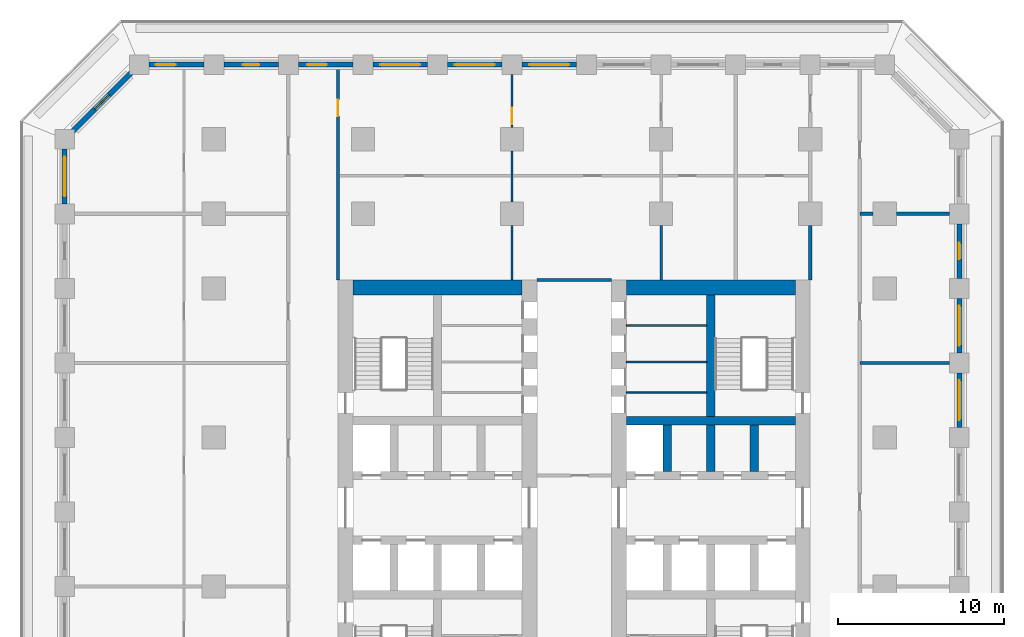
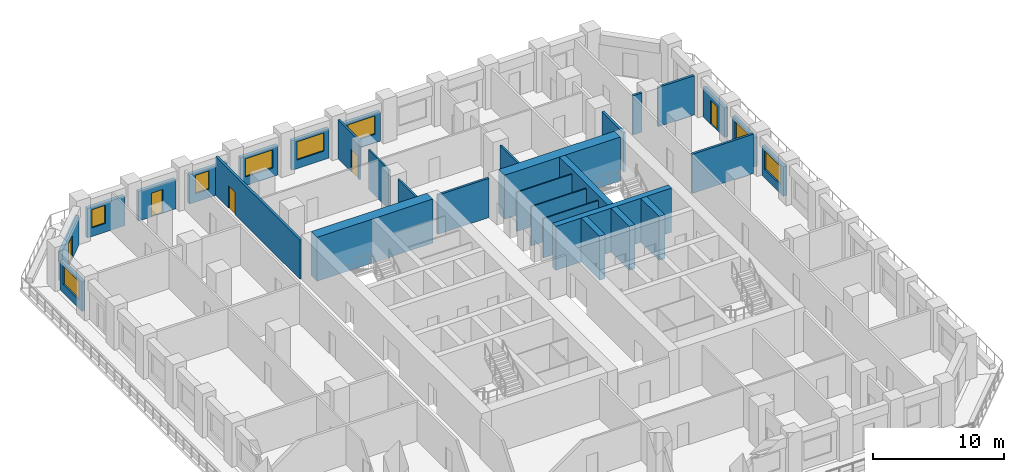
# One storey, part 7 of 16: 31 walls, 8 windows, 5 doors, 13 openings.
"""IFC4 building model written with IfcOpenShell, lengths in metres."""

from ifc_helpers import new_model, si_unit, direction, frame, frame_2d, origin, place, context, subcontext, project, spatial, rectangle, extrude, material, layer, layer_set, type_object, element, fill, save


model = new_model("IFC4")

# Units and contexts
model_context = context("Model", 3, precision=1e-05, world=origin(), true_north=direction((0.0, 1.0)))
body_context = subcontext(model_context, "Body", "Model", "MODEL_VIEW")
ifc_project = project(units=[si_unit("LENGTHUNIT", "METRE"), si_unit("AREAUNIT", "SQUARE_METRE"), si_unit("VOLUMEUNIT", "CUBIC_METRE"), si_unit("PLANEANGLEUNIT", "RADIAN"), si_unit("MASSUNIT", "GRAM", prefix="KILO")], contexts=[model_context])

# Site, building, storey
site_placement = place(None, origin())
site = spatial("IfcSite", under=ifc_project, at=site_placement, CompositionType="ELEMENT")
building_placement = place(site_placement, origin())
building = spatial("IfcBuilding", under=site, at=building_placement, Name="Corbel Stack Research Tower", CompositionType="ELEMENT")
storey_placement = place(building_placement, frame((0.0, 0.0, 120.800048828125)))
storey = spatial("IfcBuildingStorey", under=building, at=storey_placement, Name="L27", CompositionType="ELEMENT", Elevation=120.800048828125)

# Walls
ifc_material_1 = material(Name="Concrete C70/85", Category="concrete")
ifc_layer_1 = layer(ifc_material_1, 0.5)
ifc_layer_set_1 = layer_set([ifc_layer_1], Name="Concrete C70/85")
wall_type_1 = type_object("IfcWallType", Name="CW-500-70", PredefinedType="SHEAR", material=ifc_layer_set_1)
wall_1_placement = place(storey_placement, frame((6.89990234375, 10.0, 0.0), z_axis=(0.0, 0.0, 1.0), x_axis=(1.0, 0.0, 0.0)))
element("IfcWall", 1, at=wall_1_placement, inside=storey, type_object=wall_type_1, Name="East core wall, north row back L27", PredefinedType="SHEAR", context=body_context, shape_type="SweptSolid", body=[
    extrude(rectangle(XDim=10.2001953125, YDim=0.5, at=frame_2d((5.10009765625, 0.0))), origin(), (0.0, 0.0, 1.0), 4.099853515625),
])
for number, where, z_axis, x_axis, name in (
    (2, (9.375, 6.949951171875, 0.0), (0.0, 0.0, 1.0), (0.0, 1.0, 0.0), "East core wall, north shaft 1 L27"),
    (3, (12.0, 6.949951171875, 0.0), (0.0, 0.0, 1.0), (0.0, 1.0, 0.0), "East core wall, north shaft 2 L27"),
    (4, (14.625, 6.949951171875, 0.0), (0.0, 0.0, 1.0), (0.0, 1.0, 0.0), "East core wall, north shaft 3 L27"),
):
    element("IfcWall", number, at=place(storey_placement, frame(where, z_axis=z_axis, x_axis=x_axis)), inside=storey, type_object=wall_type_1, Name=name, PredefinedType="SHEAR", context=body_context, shape_type="SweptSolid", body=[
        extrude(rectangle(XDim=2.800048828125, YDim=0.5, at=frame_2d((1.39990234375, 0.0))), origin(), (0.0, 0.0, 1.0), 4.099853515625),
    ])
wall_2_placement = place(storey_placement, frame((12.0, 10.25, 0.0), z_axis=(0.0, 0.0, 1.0), x_axis=(0.0, 1.0, 0.0)))
element("IfcWall", 5, at=wall_2_placement, inside=storey, type_object=wall_type_1, Name="East core wall, north stair and riser L27", PredefinedType="SHEAR", context=body_context, shape_type="SweptSolid", body=[
    extrude(rectangle(XDim=7.35009765625, YDim=0.5, at=frame_2d((3.675048828125, 0.0))), origin(), (0.0, 0.0, 1.0), 4.099853515625),
])
ifc_material_2 = material(Name="Concrete C70/85", Category="concrete")
ifc_layer_2 = layer(ifc_material_2, 0.89990234375)
ifc_layer_set_2 = layer_set([ifc_layer_2], Name="Concrete C70/85")
wall_type_2 = type_object("IfcWallType", Name="CW-900-70", PredefinedType="SHEAR", material=ifc_layer_set_2)
for number, where, z_axis, x_axis, name in (
    (6, (-9.60009765625, 18.050048828125, 0.0), (0.0, 0.0, 1.0), (1.0, 0.0, 0.0), "West core wall, north end L27"),
    (7, (6.89990234375, 18.050048828125, 0.0), (0.0, 0.0, 1.0), (1.0, 0.0, 0.0), "East core wall, north end L27"),
):
    element("IfcWall", number, at=place(storey_placement, frame(where, z_axis=z_axis, x_axis=x_axis)), inside=storey, type_object=wall_type_2, Name=name, PredefinedType="SHEAR", context=body_context, shape_type="SweptSolid", body=[
        extrude(rectangle(XDim=10.2001953125, YDim=0.89990234375, at=frame_2d((5.10009765625, 0.0))), origin(), (0.0, 0.0, 1.0), 4.099853515625),
    ])
ifc_material_3 = material(Name="Gypsum board")
ifc_layer_3 = layer(ifc_material_3, 0.10009765625)
ifc_layer_set_3 = layer_set([ifc_layer_3], Name="Gypsum board")
wall_type_3 = type_object("IfcWallType", Name="Core partition 100", PredefinedType="PARTITIONING", material=ifc_layer_set_3)
for number, where, z_axis, x_axis, name in (
    (8, (6.89990234375, 11.719970703125, 0.0), (0.0, 0.0, 1.0), (1.0, 0.0, 0.0), "Core partition E"),
    (9, (6.89990234375, 13.5576171875, 0.0), (0.0, 0.0, 1.0), (1.0, 0.0, 0.0), "Core partition E"),
    (10, (6.89990234375, 15.762451171875, 0.0), (0.0, 0.0, 1.0), (1.0, 0.0, 0.0), "Core partition E"),
):
    element("IfcWall", number, at=place(storey_placement, frame(where, z_axis=z_axis, x_axis=x_axis)), inside=storey, type_object=wall_type_3, Name=name, PredefinedType="PARTITIONING", context=body_context, shape_type="SweptSolid", body=[
        extrude(rectangle(XDim=4.85009765625, YDim=0.10009765625, at=frame_2d((2.425048828125, 0.0))), origin(), (0.0, 0.0, 1.0), 3.64990234375),
    ])

# Wall, opening, door
ifc_material_4 = material(Name="Fire-rated gypsum board partition on steel studs", Category="steel")
ifc_layer_4 = layer(ifc_material_4, 0.14990234375)
ifc_layer_set_4 = layer_set([ifc_layer_4], Name="Fire-rated gypsum board partition on steel studs")
wall_type_4 = type_object("IfcWallType", Name="Fire-rated partition 150 EI 60", PredefinedType="PARTITIONING", material=ifc_layer_set_4)
wall_3_placement = place(storey_placement, frame((0.0, 30.89990234375, 0.0), z_axis=(0.0, 0.0, 1.0), x_axis=(0.0, -1.0, 0.0)))
wall_3 = element("IfcWall", 11, at=wall_3_placement, inside=storey, type_object=wall_type_4, Name="Partition L27-007", PredefinedType="PARTITIONING", context=body_context, shape_type="SweptSolid", body=[
    extrude(rectangle(XDim=3.199951171875, YDim=0.14990234375, at=frame_2d((1.60009765625, 0.0))), origin(), (0.0, 0.0, 1.0), 3.64990234375),
])
opening_1_placement = place(wall_3_placement, frame((2.0, 0.0, 0.0)))
opening_1 = element("IfcOpeningElement", 12, at=opening_1_placement, cuts=wall_3, Name="Opening B4V0-020", PredefinedType="OPENING", context=body_context, shape_type="SweptSolid", body=[
    extrude(rectangle(XDim=1.0, YDim=2.10009765625, at=frame_2d((0.5, 1.050048828125))), frame((0.0, 0.0849609375, 0.0), z_axis=(0.0, -1.0, 0.0), x_axis=(1.0, 0.0, 0.0)), (0.0, 0.0, 1.0), 0.169921875),
])
ifc_material_5 = material(Name="Painted steel fire door", Category="steel")
door_type_1 = type_object("IfcDoorType", Name="Fire door FD30S 1000 x 2100", OperationType="NOTDEFINED", PredefinedType="DOOR", material=ifc_material_5)
door_1_placement = place(opening_1_placement, origin())
door_1 = element("IfcDoor", 13, at=door_1_placement, inside=storey, type_object=door_type_1, Name="Door B4V0-020", OperationType="SINGLE_SWING_RIGHT", OverallHeight=2.10009765625, OverallWidth=1.0, PredefinedType="DOOR", context=body_context, shape_type="SweptSolid", body=[
    extrude(rectangle(XDim=1.0, YDim=2.10009765625, at=frame_2d((0.5, 1.050048828125))), frame((0.0, 0.02490234375, 0.0), z_axis=(0.0, -1.0, 0.0), x_axis=(1.0, 0.0, 0.0)), (0.0, 0.0, 1.0), 0.050048828125),
])
fill(opening_1, door_1)

ifc_material_6 = material(Name="Fire-rated gypsum board partition on steel studs", Category="steel")
ifc_layer_5 = layer(ifc_material_6, 0.199951171875)
ifc_layer_set_5 = layer_set([ifc_layer_5], Name="Fire-rated gypsum board partition on steel studs")
wall_type_5 = type_object("IfcWallType", Name="Fire-rated partition 200 EI 60", PredefinedType="PARTITIONING", material=ifc_layer_set_5)
wall_4_placement = place(storey_placement, frame((-10.5, 31.35009765625, 0.0), z_axis=(0.0, 0.0, 1.0), x_axis=(0.0, -1.0, 0.0)))
wall_4 = element("IfcWall", 14, at=wall_4_placement, inside=storey, type_object=wall_type_5, Name="Partition L27-004", PredefinedType="PARTITIONING", context=body_context, shape_type="SweptSolid", body=[
    extrude(rectangle(XDim=12.85009765625, YDim=0.199951171875, at=frame_2d((6.425048828125, 0.0))), origin(), (0.0, 0.0, 1.0), 3.64990234375),
])
opening_2_placement = place(wall_4_placement, frame((1.949951171875, 0.0, 0.0)))
opening_2 = element("IfcOpeningElement", 15, at=opening_2_placement, cuts=wall_4, Name="Opening B4V0-018", PredefinedType="OPENING", context=body_context, shape_type="SweptSolid", body=[
    extrude(rectangle(XDim=1.0, YDim=2.10009765625, at=frame_2d((0.5, 1.050048828125))), frame((0.0, 0.10986328125, 0.0), z_axis=(0.0, -1.0, 0.0), x_axis=(1.0, 0.0, 0.0)), (0.0, 0.0, 1.0), 0.219970703125),
])
door_2_placement = place(opening_2_placement, origin())
door_2 = element("IfcDoor", 16, at=door_2_placement, inside=storey, type_object=door_type_1, Name="Door B4V0-018", OperationType="SINGLE_SWING_LEFT", OverallHeight=2.10009765625, OverallWidth=1.0, PredefinedType="DOOR", context=body_context, shape_type="SweptSolid", body=[
    extrude(rectangle(XDim=1.0, YDim=2.10009765625, at=frame_2d((0.5, 1.050048828125))), frame((0.0, 0.02490234375, 0.0), z_axis=(0.0, -1.0, 0.0), x_axis=(1.0, 0.0, 0.0)), (0.0, 0.0, 1.0), 0.050048828125),
])
fill(opening_2, door_2)

# Walls
wall_5_placement = place(storey_placement, frame((18.0, 18.5, 0.0), z_axis=(0.0, 0.0, 1.0), x_axis=(0.0, 1.0, 0.0)))
element("IfcWall", 17, at=wall_5_placement, inside=storey, type_object=wall_type_5, Name="Partition L27-019", PredefinedType="PARTITIONING", context=body_context, shape_type="SweptSolid", body=[
    extrude(rectangle(XDim=3.300048828125, YDim=0.199951171875, at=frame_2d((1.64990234375, 0.0))), origin(), (0.0, 0.0, 1.0), 3.64990234375),
])
wall_6_placement = place(storey_placement, frame((21.0, 13.5, 0.0), z_axis=(0.0, 0.0, 1.0), x_axis=(1.0, 0.0, 0.0)))
element("IfcWall", 18, at=wall_6_placement, inside=storey, type_object=wall_type_5, Name="Partition L27-035", PredefinedType="PARTITIONING", context=body_context, shape_type="SweptSolid", body=[
    extrude(rectangle(XDim=5.39990234375, YDim=0.199951171875, at=frame_2d((2.699951171875, 0.0))), origin(), (0.0, 0.0, 1.0), 3.64990234375),
])
wall_7_placement = place(storey_placement, frame((1.5, 18.5, 0.0), z_axis=(0.0, 0.0, 1.0), x_axis=(1.0, 0.0, 0.0)))
element("IfcWall", 19, at=wall_7_placement, inside=storey, type_object=wall_type_5, Name="Partition L27-036", PredefinedType="PARTITIONING", context=body_context, shape_type="SweptSolid", body=[
    extrude(rectangle(XDim=4.5, YDim=0.199951171875, at=frame_2d((2.25, 0.0))), origin(), (0.0, 0.0, 1.0), 3.64990234375),
])
wall_8_placement = place(storey_placement, frame((21.0, 22.5, 0.0), z_axis=(0.0, 0.0, 1.0), x_axis=(1.0, 0.0, 0.0)))
element("IfcWall", 20, at=wall_8_placement, inside=storey, type_object=wall_type_5, Name="Partition L27-039", PredefinedType="PARTITIONING", context=body_context, shape_type="SweptSolid", body=[
    extrude(rectangle(XDim=0.800048828125, YDim=0.199951171875, at=frame_2d((0.39990234375, 0.0))), origin(), (0.0, 0.0, 1.0), 3.64990234375),
])
wall_9_placement = place(storey_placement, frame((23.199951171875, 22.5, 0.0), z_axis=(0.0, 0.0, 1.0), x_axis=(1.0, 0.0, 0.0)))
element("IfcWall", 21, at=wall_9_placement, inside=storey, type_object=wall_type_5, Name="Partition L27-040", PredefinedType="PARTITIONING", context=body_context, shape_type="SweptSolid", body=[
    extrude(rectangle(XDim=3.199951171875, YDim=0.199951171875, at=frame_2d((1.60009765625, 0.0))), origin(), (0.0, 0.0, 1.0), 3.64990234375),
])
ifc_material_7 = material(Name="Gypsum board partition on steel studs", Category="steel")
ifc_layer_6 = layer(ifc_material_7, 0.14990234375)
ifc_layer_set_6 = layer_set([ifc_layer_6], Name="Gypsum board partition on steel studs")
wall_type_6 = type_object("IfcWallType", Name="Partition 150", PredefinedType="PARTITIONING", material=ifc_layer_set_6)
wall_10_placement = place(storey_placement, frame((0.0, 18.5, 0.0), z_axis=(0.0, 0.0, 1.0), x_axis=(0.0, 1.0, 0.0)))
element("IfcWall", 22, at=wall_10_placement, inside=storey, type_object=wall_type_6, Name="Partition L27-005", PredefinedType="PARTITIONING", context=body_context, shape_type="SweptSolid", body=[
    extrude(rectangle(XDim=3.300048828125, YDim=0.14990234375, at=frame_2d((1.64990234375, 0.0))), origin(), (0.0, 0.0, 1.0), 3.64990234375),
])
wall_11_placement = place(storey_placement, frame((0.0, 23.199951171875, 0.0), z_axis=(0.0, 0.0, 1.0), x_axis=(0.0, 1.0, 0.0)))
element("IfcWall", 23, at=wall_11_placement, inside=storey, type_object=wall_type_6, Name="Partition L27-006", PredefinedType="PARTITIONING", context=body_context, shape_type="SweptSolid", body=[
    extrude(rectangle(XDim=3.10009765625, YDim=0.14990234375, at=frame_2d((1.550048828125, 0.0))), origin(), (0.0, 0.0, 1.0), 3.64990234375),
])
wall_12_placement = place(storey_placement, frame((9.0, 18.5, 0.0), z_axis=(0.0, 0.0, 1.0), x_axis=(0.0, 1.0, 0.0)))
element("IfcWall", 24, at=wall_12_placement, inside=storey, type_object=wall_type_6, Name="Partition L27-012", PredefinedType="PARTITIONING", context=body_context, shape_type="SweptSolid", body=[
    extrude(rectangle(XDim=3.300048828125, YDim=0.14990234375, at=frame_2d((1.64990234375, 0.0))), origin(), (0.0, 0.0, 1.0), 3.64990234375),
])

# Wall, opening, window
ifc_material_8 = material(Name="Concrete C45/55", Category="concrete")
ifc_layer_7 = layer(ifc_material_8, 0.300048828125)
ifc_layer_set_7 = layer_set([ifc_layer_7], Name="Concrete C45/55")
wall_type_7 = type_object("IfcWallType", Name="Terracotta-faced concrete wall 300", PredefinedType="SOLIDWALL", material=ifc_layer_set_7)
wall_13_placement = place(storey_placement, frame((27.0, 12.89990234375, 0.0), z_axis=(0.0, 0.0, 1.0), x_axis=(0.0, -1.0, 0.0)))
wall_13 = element("IfcWall", 25, at=wall_13_placement, inside=storey, type_object=wall_type_7, Name="Facade wall L27 E07", PredefinedType="SOLIDWALL", context=body_context, shape_type="SweptSolid", body=[
    extrude(rectangle(XDim=3.2998046875, YDim=0.300048828125, at=frame_2d((1.64990234375, 0.0))), origin(), (0.0, 0.0, 1.0), 2.75),
])
opening_3_placement = place(wall_13_placement, frame((0.449951171875, 0.0, 0.800048828125)))
opening_3 = element("IfcOpeningElement", 26, at=opening_3_placement, cuts=wall_13, Name="Opening W1", PredefinedType="OPENING", context=body_context, shape_type="SweptSolid", body=[
    extrude(rectangle(XDim=2.39990234375, YDim=1.699951171875, at=frame_2d((1.199951171875, 0.85009765625))), frame((0.0, 0.159912109375, 0.0), z_axis=(0.0, -1.0, 0.0), x_axis=(1.0, 0.0, 0.0)), (0.0, 0.0, 1.0), 0.320068359375),
])
ifc_material_9 = material(Name="Aluminium frame, clear double glazing", Category="aluminium")
window_type_1 = type_object("IfcWindowType", Name="Window W1 2400 x 1700", PartitioningType="SINGLE_PANEL", PredefinedType="WINDOW", material=ifc_material_9)
window_1_placement = place(opening_3_placement, origin())
window_1 = element("IfcWindow", 27, at=window_1_placement, inside=storey, type_object=window_type_1, Name="Window W1 L27 E07", OverallHeight=1.699951171875, OverallWidth=2.39990234375, PartitioningType="SINGLE_PANEL", PredefinedType="WINDOW", context=body_context, shape_type="SweptSolid", body=[
    extrude(rectangle(XDim=2.39990234375, YDim=1.699951171875, at=frame_2d((1.199951171875, 0.85009765625))), frame((0.0, 0.030029296875, 0.0), z_axis=(0.0, -1.0, 0.0), x_axis=(1.0, 0.0, 0.0)), (0.0, 0.0, 1.0), 0.06005859375),
])
fill(opening_3, window_1)

wall_14_placement = place(storey_placement, frame((27.0, 17.39990234375, 0.0), z_axis=(0.0, 0.0, 1.0), x_axis=(0.0, -1.0, 0.0)))
wall_14 = element("IfcWall", 28, at=wall_14_placement, inside=storey, type_object=wall_type_7, Name="Facade wall L27 E08", PredefinedType="SOLIDWALL", context=body_context, shape_type="SweptSolid", body=[
    extrude(rectangle(XDim=3.2998046875, YDim=0.300048828125, at=frame_2d((1.64990234375, 0.0))), origin(), (0.0, 0.0, 1.0), 2.75),
])
opening_4_placement = place(wall_14_placement, frame((0.449951171875, 0.0, 0.800048828125)))
opening_4 = element("IfcOpeningElement", 29, at=opening_4_placement, cuts=wall_14, Name="Opening W1", PredefinedType="OPENING", context=body_context, shape_type="SweptSolid", body=[
    extrude(rectangle(XDim=2.39990234375, YDim=1.699951171875, at=frame_2d((1.199951171875, 0.85009765625))), frame((0.0, 0.159912109375, 0.0), z_axis=(0.0, -1.0, 0.0), x_axis=(1.0, 0.0, 0.0)), (0.0, 0.0, 1.0), 0.320068359375),
])
window_2_placement = place(opening_4_placement, origin())
window_2 = element("IfcWindow", 30, at=window_2_placement, inside=storey, type_object=window_type_1, Name="Window W1 L27 E08", OverallHeight=1.699951171875, OverallWidth=2.39990234375, PartitioningType="SINGLE_PANEL", PredefinedType="WINDOW", context=body_context, shape_type="SweptSolid", body=[
    extrude(rectangle(XDim=2.39990234375, YDim=1.699951171875, at=frame_2d((1.199951171875, 0.85009765625))), frame((0.0, 0.030029296875, 0.0), z_axis=(0.0, -1.0, 0.0), x_axis=(1.0, 0.0, 0.0)), (0.0, 0.0, 1.0), 0.06005859375),
])
fill(opening_4, window_2)

# Wall, opening, door
wall_15_placement = place(storey_placement, frame((27.0, 21.89990234375, 0.0), z_axis=(0.0, 0.0, 1.0), x_axis=(0.0, -1.0, 0.0)))
wall_15 = element("IfcWall", 31, at=wall_15_placement, inside=storey, type_object=wall_type_7, Name="Facade wall L27 E09", PredefinedType="SOLIDWALL", context=body_context, shape_type="SweptSolid", body=[
    extrude(rectangle(XDim=3.2998046875, YDim=0.300048828125, at=frame_2d((1.64990234375, 0.0))), origin(), (0.0, 0.0, 1.0), 2.75),
])
opening_5_placement = place(wall_15_placement, frame((1.14990234375, 0.0, 0.0)))
opening_5 = element("IfcOpeningElement", 32, at=opening_5_placement, cuts=wall_15, Name="Opening L27-B05", PredefinedType="OPENING", context=body_context, shape_type="SweptSolid", body=[
    extrude(rectangle(XDim=1.0, YDim=2.199951171875, at=frame_2d((0.5, 1.10009765625))), frame((0.0, 0.159912109375, 0.0), z_axis=(0.0, -1.0, 0.0), x_axis=(1.0, 0.0, 0.0)), (0.0, 0.0, 1.0), 0.320068359375),
])
ifc_material_10 = material(Name="Aluminium frame, clear double glazing", Category="aluminium")
door_type_2 = type_object("IfcDoorType", Name="Balcony door BD1 1000 x 2200", OperationType="NOTDEFINED", PredefinedType="DOOR", material=ifc_material_10)
door_3_placement = place(opening_5_placement, origin())
door_3 = element("IfcDoor", 33, at=door_3_placement, inside=storey, type_object=door_type_2, Name="Balcony door L27-B05", OperationType="SINGLE_SWING_RIGHT", OverallHeight=2.199951171875, OverallWidth=1.0, PredefinedType="DOOR", context=body_context, shape_type="SweptSolid", body=[
    extrude(rectangle(XDim=1.0, YDim=2.199951171875, at=frame_2d((0.5, 1.10009765625))), frame((0.0, 0.02490234375, 0.0), z_axis=(0.0, -1.0, 0.0), x_axis=(1.0, 0.0, 0.0)), (0.0, 0.0, 1.0), 0.050048828125),
])
fill(opening_5, door_3)

# Wall, opening, window
wall_16_placement = place(storey_placement, frame((0.60009765625, 31.5, 0.0), z_axis=(0.0, 0.0, 1.0), x_axis=(1.0, 0.0, 0.0)))
wall_16 = element("IfcWall", 34, at=wall_16_placement, inside=storey, type_object=wall_type_7, Name="Facade wall L27 N05", PredefinedType="SOLIDWALL", context=body_context, shape_type="SweptSolid", body=[
    extrude(rectangle(XDim=3.2998046875, YDim=0.300048828125, at=frame_2d((1.64990234375, 0.0))), origin(), (0.0, 0.0, 1.0), 2.75),
])
opening_6_placement = place(wall_16_placement, frame((0.449951171875, 0.0, 0.800048828125)))
opening_6 = element("IfcOpeningElement", 35, at=opening_6_placement, cuts=wall_16, Name="Opening W1", PredefinedType="OPENING", context=body_context, shape_type="SweptSolid", body=[
    extrude(rectangle(XDim=2.39990234375, YDim=1.699951171875, at=frame_2d((1.199951171875, 0.85009765625))), frame((0.0, 0.159912109375, 0.0), z_axis=(0.0, -1.0, 0.0), x_axis=(1.0, 0.0, 0.0)), (0.0, 0.0, 1.0), 0.320068359375),
])
window_3_placement = place(opening_6_placement, origin())
window_3 = element("IfcWindow", 36, at=window_3_placement, inside=storey, type_object=window_type_1, Name="Window W1 L27 N05", OverallHeight=1.699951171875, OverallWidth=2.39990234375, PartitioningType="SINGLE_PANEL", PredefinedType="WINDOW", context=body_context, shape_type="SweptSolid", body=[
    extrude(rectangle(XDim=2.39990234375, YDim=1.699951171875, at=frame_2d((1.199951171875, 0.85009765625))), frame((0.0, 0.030029296875, 0.0), z_axis=(0.0, -1.0, 0.0), x_axis=(1.0, 0.0, 0.0)), (0.0, 0.0, 1.0), 0.06005859375),
])
fill(opening_6, window_3)

wall_17_placement = place(storey_placement, frame((-3.89990234375, 31.5, 0.0), z_axis=(0.0, 0.0, 1.0), x_axis=(1.0, 0.0, 0.0)))
wall_17 = element("IfcWall", 37, at=wall_17_placement, inside=storey, type_object=wall_type_7, Name="Facade wall L27 N06", PredefinedType="SOLIDWALL", context=body_context, shape_type="SweptSolid", body=[
    extrude(rectangle(XDim=3.2998046875, YDim=0.300048828125, at=frame_2d((1.64990234375, 0.0))), origin(), (0.0, 0.0, 1.0), 2.75),
])
opening_7_placement = place(wall_17_placement, frame((0.449951171875, 0.0, 0.800048828125)))
opening_7 = element("IfcOpeningElement", 38, at=opening_7_placement, cuts=wall_17, Name="Opening W1", PredefinedType="OPENING", context=body_context, shape_type="SweptSolid", body=[
    extrude(rectangle(XDim=2.39990234375, YDim=1.699951171875, at=frame_2d((1.199951171875, 0.85009765625))), frame((0.0, 0.159912109375, 0.0), z_axis=(0.0, -1.0, 0.0), x_axis=(1.0, 0.0, 0.0)), (0.0, 0.0, 1.0), 0.320068359375),
])
window_4_placement = place(opening_7_placement, origin())
window_4 = element("IfcWindow", 39, at=window_4_placement, inside=storey, type_object=window_type_1, Name="Window W1 L27 N06", OverallHeight=1.699951171875, OverallWidth=2.39990234375, PartitioningType="SINGLE_PANEL", PredefinedType="WINDOW", context=body_context, shape_type="SweptSolid", body=[
    extrude(rectangle(XDim=2.39990234375, YDim=1.699951171875, at=frame_2d((1.199951171875, 0.85009765625))), frame((0.0, 0.030029296875, 0.0), z_axis=(0.0, -1.0, 0.0), x_axis=(1.0, 0.0, 0.0)), (0.0, 0.0, 1.0), 0.06005859375),
])
fill(opening_7, window_4)

wall_18_placement = place(storey_placement, frame((-8.39990234375, 31.5, 0.0), z_axis=(0.0, 0.0, 1.0), x_axis=(1.0, 0.0, 0.0)))
wall_18 = element("IfcWall", 40, at=wall_18_placement, inside=storey, type_object=wall_type_7, Name="Facade wall L27 N07", PredefinedType="SOLIDWALL", context=body_context, shape_type="SweptSolid", body=[
    extrude(rectangle(XDim=3.2998046875, YDim=0.300048828125, at=frame_2d((1.64990234375, 0.0))), origin(), (0.0, 0.0, 1.0), 2.75),
])
opening_8_placement = place(wall_18_placement, frame((0.449951171875, 0.0, 0.800048828125)))
opening_8 = element("IfcOpeningElement", 41, at=opening_8_placement, cuts=wall_18, Name="Opening W1", PredefinedType="OPENING", context=body_context, shape_type="SweptSolid", body=[
    extrude(rectangle(XDim=2.39990234375, YDim=1.699951171875, at=frame_2d((1.199951171875, 0.85009765625))), frame((0.0, 0.159912109375, 0.0), z_axis=(0.0, -1.0, 0.0), x_axis=(1.0, 0.0, 0.0)), (0.0, 0.0, 1.0), 0.320068359375),
])
window_5_placement = place(opening_8_placement, origin())
window_5 = element("IfcWindow", 42, at=window_5_placement, inside=storey, type_object=window_type_1, Name="Window W1 L27 N07", OverallHeight=1.699951171875, OverallWidth=2.39990234375, PartitioningType="SINGLE_PANEL", PredefinedType="WINDOW", context=body_context, shape_type="SweptSolid", body=[
    extrude(rectangle(XDim=2.39990234375, YDim=1.699951171875, at=frame_2d((1.199951171875, 0.85009765625))), frame((0.0, 0.030029296875, 0.0), z_axis=(0.0, -1.0, 0.0), x_axis=(1.0, 0.0, 0.0)), (0.0, 0.0, 1.0), 0.06005859375),
])
fill(opening_8, window_5)

wall_19_placement = place(storey_placement, frame((-12.89990234375, 31.5, 0.0), z_axis=(0.0, 0.0, 1.0), x_axis=(1.0, 0.0, 0.0)))
wall_19 = element("IfcWall", 43, at=wall_19_placement, inside=storey, type_object=wall_type_7, Name="Facade wall L27 N08", PredefinedType="SOLIDWALL", context=body_context, shape_type="SweptSolid", body=[
    extrude(rectangle(XDim=3.2998046875, YDim=0.300048828125, at=frame_2d((1.64990234375, 0.0))), origin(), (0.0, 0.0, 1.0), 2.75),
])
opening_9_placement = place(wall_19_placement, frame((0.52490234375, 0.0, 0.800048828125)))
opening_9 = element("IfcOpeningElement", 44, at=opening_9_placement, cuts=wall_19, Name="Opening W2", PredefinedType="OPENING", context=body_context, shape_type="SweptSolid", body=[
    extrude(rectangle(XDim=1.199951171875, YDim=1.699951171875, at=frame_2d((0.60009765625, 0.85009765625))), frame((0.0, 0.159912109375, 0.0), z_axis=(0.0, -1.0, 0.0), x_axis=(1.0, 0.0, 0.0)), (0.0, 0.0, 1.0), 0.320068359375),
])
ifc_material_11 = material(Name="Aluminium frame, clear double glazing", Category="aluminium")
window_type_2 = type_object("IfcWindowType", Name="Window W2 1200 x 1700", PartitioningType="SINGLE_PANEL", PredefinedType="WINDOW", material=ifc_material_11)
window_6_placement = place(opening_9_placement, origin())
window_6 = element("IfcWindow", 45, at=window_6_placement, inside=storey, type_object=window_type_2, Name="Window W2 L27 N08", OverallHeight=1.699951171875, OverallWidth=1.199951171875, PartitioningType="SINGLE_PANEL", PredefinedType="WINDOW", context=body_context, shape_type="SweptSolid", body=[
    extrude(rectangle(XDim=1.199951171875, YDim=1.699951171875, at=frame_2d((0.60009765625, 0.85009765625))), frame((0.0, 0.030029296875, 0.0), z_axis=(0.0, -1.0, 0.0), x_axis=(1.0, 0.0, 0.0)), (0.0, 0.0, 1.0), 0.06005859375),
])
fill(opening_9, window_6)

# Wall, opening, door
wall_20_placement = place(storey_placement, frame((-17.39990234375, 31.5, 0.0), z_axis=(0.0, 0.0, 1.0), x_axis=(1.0, 0.0, 0.0)))
wall_20 = element("IfcWall", 46, at=wall_20_placement, inside=storey, type_object=wall_type_7, Name="Facade wall L27 N09", PredefinedType="SOLIDWALL", context=body_context, shape_type="SweptSolid", body=[
    extrude(rectangle(XDim=3.2998046875, YDim=0.300048828125, at=frame_2d((1.64990234375, 0.0))), origin(), (0.0, 0.0, 1.0), 2.75),
])
opening_10_placement = place(wall_20_placement, frame((1.14990234375, 0.0, 0.0)))
opening_10 = element("IfcOpeningElement", 47, at=opening_10_placement, cuts=wall_20, Name="Opening L27-B08", PredefinedType="OPENING", context=body_context, shape_type="SweptSolid", body=[
    extrude(rectangle(XDim=1.0, YDim=2.199951171875, at=frame_2d((0.5, 1.10009765625))), frame((0.0, 0.159912109375, 0.0), z_axis=(0.0, -1.0, 0.0), x_axis=(1.0, 0.0, 0.0)), (0.0, 0.0, 1.0), 0.320068359375),
])
door_4_placement = place(opening_10_placement, origin())
door_4 = element("IfcDoor", 48, at=door_4_placement, inside=storey, type_object=door_type_2, Name="Balcony door L27-B08", OperationType="SINGLE_SWING_RIGHT", OverallHeight=2.199951171875, OverallWidth=1.0, PredefinedType="DOOR", context=body_context, shape_type="SweptSolid", body=[
    extrude(rectangle(XDim=1.0, YDim=2.199951171875, at=frame_2d((0.5, 1.10009765625))), frame((0.0, 0.02490234375, 0.0), z_axis=(0.0, -1.0, 0.0), x_axis=(1.0, 0.0, 0.0)), (0.0, 0.0, 1.0), 0.050048828125),
])
fill(opening_10, door_4)

# Wall, opening, window
wall_21_placement = place(storey_placement, frame((-21.89990234375, 31.5, 0.0), z_axis=(0.0, 0.0, 1.0), x_axis=(1.0, 0.0, 0.0)))
wall_21 = element("IfcWall", 49, at=wall_21_placement, inside=storey, type_object=wall_type_7, Name="Facade wall L27 N10", PredefinedType="SOLIDWALL", context=body_context, shape_type="SweptSolid", body=[
    extrude(rectangle(XDim=3.2998046875, YDim=0.300048828125, at=frame_2d((1.64990234375, 0.0))), origin(), (0.0, 0.0, 1.0), 2.75),
])
opening_11_placement = place(wall_21_placement, frame((0.387451171875, 0.0, 0.800048828125)))
opening_11 = element("IfcOpeningElement", 50, at=opening_11_placement, cuts=wall_21, Name="Opening W2", PredefinedType="OPENING", context=body_context, shape_type="SweptSolid", body=[
    extrude(rectangle(XDim=1.199951171875, YDim=1.699951171875, at=frame_2d((0.60009765625, 0.85009765625))), frame((0.0, 0.159912109375, 0.0), z_axis=(0.0, -1.0, 0.0), x_axis=(1.0, 0.0, 0.0)), (0.0, 0.0, 1.0), 0.320068359375),
])
window_7_placement = place(opening_11_placement, origin())
window_7 = element("IfcWindow", 51, at=window_7_placement, inside=storey, type_object=window_type_2, Name="Window W2 L27 N10", OverallHeight=1.699951171875, OverallWidth=1.199951171875, PartitioningType="SINGLE_PANEL", PredefinedType="WINDOW", context=body_context, shape_type="SweptSolid", body=[
    extrude(rectangle(XDim=1.199951171875, YDim=1.699951171875, at=frame_2d((0.60009765625, 0.85009765625))), frame((0.0, 0.030029296875, 0.0), z_axis=(0.0, -1.0, 0.0), x_axis=(1.0, 0.0, 0.0)), (0.0, 0.0, 1.0), 0.06005859375),
])
fill(opening_11, window_7)

# Wall, opening, door
wall_22_placement = place(storey_placement, frame((-26.506103515625, 27.493896484375, 0.0), z_axis=(0.0, 0.0, 1.0), x_axis=(0.707106781187, 0.707106781187, 0.0)))
wall_22 = element("IfcWall", 52, at=wall_22_placement, inside=storey, type_object=wall_type_7, Name="Facade wall L27 NW01", PredefinedType="SOLIDWALL", context=body_context, shape_type="SweptSolid", body=[
    extrude(rectangle(XDim=4.967041015625, YDim=0.300048828125, at=frame_2d((2.4833984375, 0.0))), origin(), (0.0, 0.0, 1.0), 2.75),
])
opening_12_placement = place(wall_22_placement, frame((1.883544921875, 0.0, 0.0)))
opening_12 = element("IfcOpeningElement", 53, at=opening_12_placement, cuts=wall_22, Name="Opening L27-B09", PredefinedType="OPENING", context=body_context, shape_type="SweptSolid", body=[
    extrude(rectangle(XDim=1.199951171875, YDim=2.199951171875, at=frame_2d((0.60009765625, 1.10009765625))), frame((0.0, 0.159912109375, 0.0), z_axis=(0.0, -1.0, 0.0), x_axis=(1.0, 0.0, 0.0)), (0.0, 0.0, 1.0), 0.320068359375),
])
ifc_material_12 = material(Name="Aluminium frame, clear double glazing", Category="aluminium")
door_type_3 = type_object("IfcDoorType", Name="Balcony door BD2 1200 x 2200", OperationType="NOTDEFINED", PredefinedType="DOOR", material=ifc_material_12)
door_5_placement = place(opening_12_placement, origin())
door_5 = element("IfcDoor", 54, at=door_5_placement, inside=storey, type_object=door_type_3, Name="Balcony door L27-B09", OperationType="SINGLE_SWING_RIGHT", OverallHeight=2.199951171875, OverallWidth=1.199951171875, PredefinedType="DOOR", context=body_context, shape_type="SweptSolid", body=[
    extrude(rectangle(XDim=1.199951171875, YDim=2.199951171875, at=frame_2d((0.60009765625, 1.10009765625))), frame((0.0, 0.02490234375, 0.0), z_axis=(0.0, -1.0, 0.0), x_axis=(1.0, 0.0, 0.0)), (0.0, 0.0, 1.0), 0.050048828125),
])
fill(opening_12, door_5)

# Wall, opening, window
wall_23_placement = place(storey_placement, frame((-27.0, 23.10009765625, 0.0), z_axis=(0.0, 0.0, 1.0), x_axis=(0.0, 1.0, 0.0)))
wall_23 = element("IfcWall", 55, at=wall_23_placement, inside=storey, type_object=wall_type_7, Name="Facade wall L27 W01", PredefinedType="SOLIDWALL", context=body_context, shape_type="SweptSolid", body=[
    extrude(rectangle(XDim=3.2998046875, YDim=0.300048828125, at=frame_2d((1.64990234375, 0.0))), origin(), (0.0, 0.0, 1.0), 2.75),
])
opening_13_placement = place(wall_23_placement, frame((0.449951171875, 0.0, 0.800048828125)))
opening_13 = element("IfcOpeningElement", 56, at=opening_13_placement, cuts=wall_23, Name="Opening W1", PredefinedType="OPENING", context=body_context, shape_type="SweptSolid", body=[
    extrude(rectangle(XDim=2.39990234375, YDim=1.699951171875, at=frame_2d((1.199951171875, 0.85009765625))), frame((0.0, 0.159912109375, 0.0), z_axis=(0.0, -1.0, 0.0), x_axis=(1.0, 0.0, 0.0)), (0.0, 0.0, 1.0), 0.320068359375),
])
window_8_placement = place(opening_13_placement, origin())
window_8 = element("IfcWindow", 57, at=window_8_placement, inside=storey, type_object=window_type_1, Name="Window W1 L27 W01", OverallHeight=1.699951171875, OverallWidth=2.39990234375, PartitioningType="SINGLE_PANEL", PredefinedType="WINDOW", context=body_context, shape_type="SweptSolid", body=[
    extrude(rectangle(XDim=2.39990234375, YDim=1.699951171875, at=frame_2d((1.199951171875, 0.85009765625))), frame((0.0, 0.030029296875, 0.0), z_axis=(0.0, -1.0, 0.0), x_axis=(1.0, 0.0, 0.0)), (0.0, 0.0, 1.0), 0.06005859375),
])
fill(opening_13, window_8)

save(model, "model.ifc")
